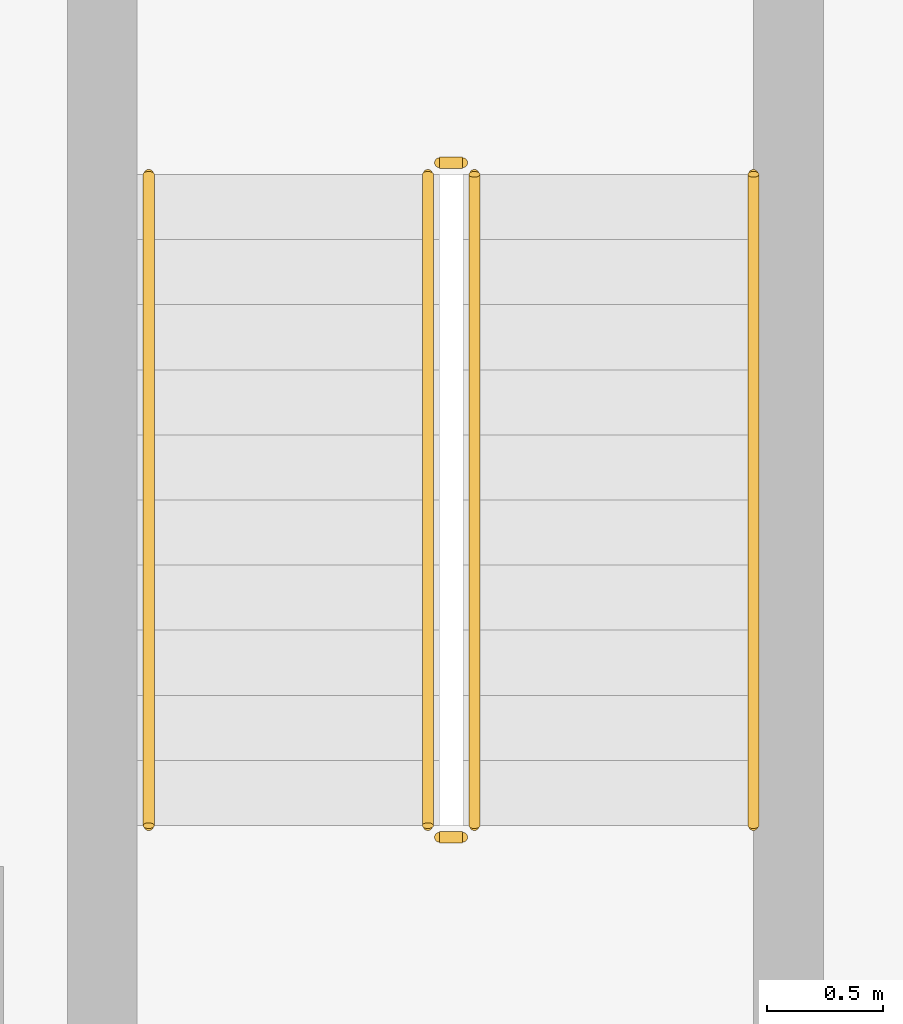
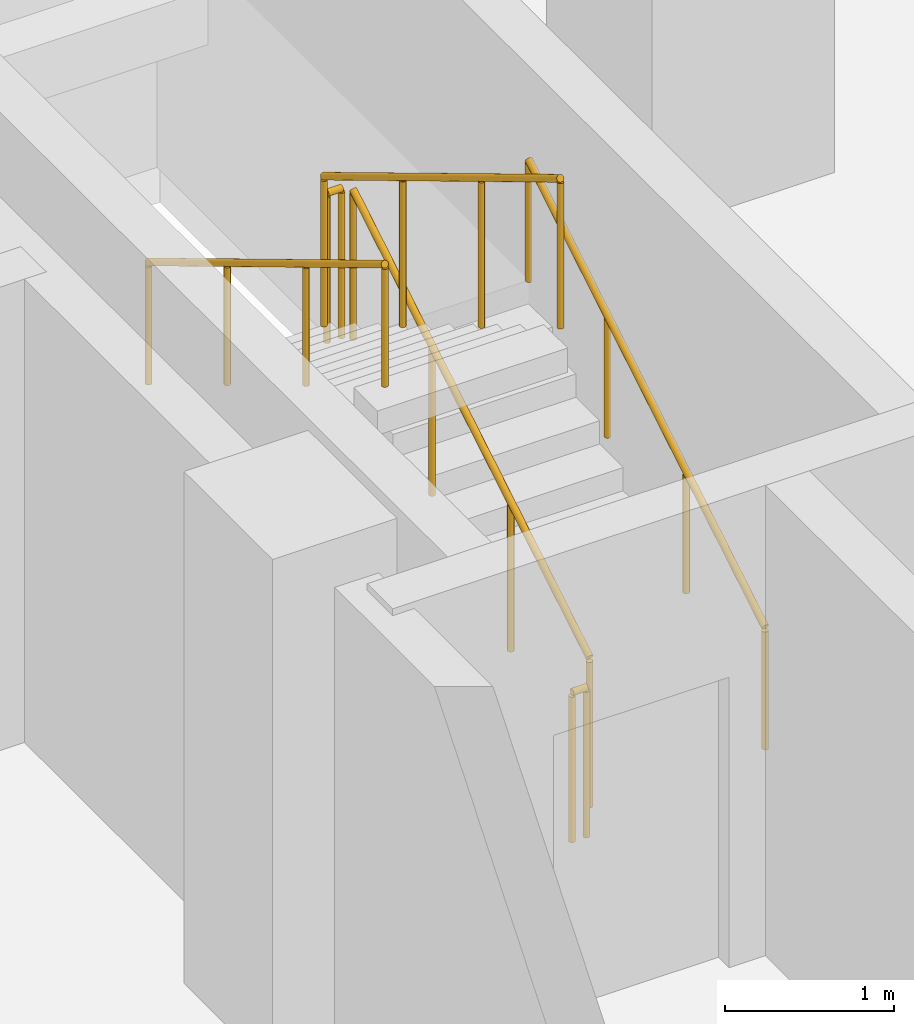
# One storey, part 23 of 23: 6 railings.
"""IFC4 building model written with IfcOpenShell, lengths in metres."""

from ifc_helpers import new_model, si_unit, direction, frame, origin, origin_2d, place, context, subcontext, project, spatial, circle, extrude, material, type_object, element, save


model = new_model("IFC4")

# Units and contexts
model_context = context("Model", 3, precision=1e-05, world=origin(), true_north=direction((0.0, 1.0)))
body_context = subcontext(model_context, "Body", "Model", "MODEL_VIEW")
ifc_project = project(units=[si_unit("LENGTHUNIT", "METRE"), si_unit("AREAUNIT", "SQUARE_METRE"), si_unit("VOLUMEUNIT", "CUBIC_METRE"), si_unit("PLANEANGLEUNIT", "RADIAN"), si_unit("MASSUNIT", "GRAM", prefix="KILO")], contexts=[model_context])

# Site, building, storey
site_placement = place(None, origin())
site = spatial("IfcSite", under=ifc_project, at=site_placement, CompositionType="ELEMENT")
building_placement = place(site_placement, origin())
building = spatial("IfcBuilding", under=site, at=building_placement, Name="Ogive Portal Towers", CompositionType="ELEMENT")
storey_placement = place(building_placement, frame((0.0, 0.0, 120.39990234375)))
storey = spatial("IfcBuildingStorey", under=building, at=storey_placement, Name="L29", CompositionType="ELEMENT", Elevation=120.39990234375)

# Railings
ifc_material_1 = material(Name="Stainless steel balustrade", Category="steel")
railing_type_1 = type_object("IfcRailingType", Name="INT-GUARD", PredefinedType="GUARDRAIL", material=ifc_material_1)
railing_1_placement = place(storey_placement, frame((42.949951171875, 67.199951171875, 0.168212890625)))
element("IfcRailing", 1, at=railing_1_placement, inside=storey, type_object=railing_type_1, Name="L29 ST-A3 stair guard 1", PredefinedType="GUARDRAIL", context=body_context, shape_type="SweptSolid", body=[
    extrude(circle(Radius=0.02392578125, at=origin_2d()), frame((0.0, 0.0, 1.076171875), z_axis=(0.0, 0.857242210791, 0.514913383045), x_axis=(-1.0, 0.0, 0.0)), (0.0, 0.0, 1.0), 3.266357421875),
    extrude(circle(Radius=0.02099609375, at=origin_2d()), origin(), (0.0, 0.0, 1.0), 1.052001953125),
    extrude(circle(Radius=0.02099609375, at=origin_2d()), frame((0.0, 0.933349609375, 0.560546875)), (0.0, 0.0, 1.0), 1.052001953125),
    extrude(circle(Radius=0.02099609375, at=origin_2d()), frame((0.0, 1.86669921875, 1.121337890625)), (0.0, 0.0, 1.0), 1.052001953125),
    extrude(circle(Radius=0.02099609375, at=origin_2d()), frame((0.0, 2.800048828125, 1.681884765625)), (0.0, 0.0, 1.0), 1.052001953125),
])
railing_2_placement = place(storey_placement, frame((42.89990234375, 70.050048828125, 1.85009765625)))
element("IfcRailing", 2, at=railing_2_placement, inside=storey, type_object=railing_type_1, Name="L29 ST-A3 stair guard 2", PredefinedType="GUARDRAIL", context=body_context, shape_type="SweptSolid", body=[
    extrude(circle(Radius=0.02392578125, at=origin_2d()), frame((0.0, 0.0, 1.076171875), z_axis=(-1.0, 0.0, 0.0), x_axis=(0.0, -1.0, 0.0)), (0.0, 0.0, 1.0), 0.099853515625),
    extrude(circle(Radius=0.02099609375, at=origin_2d()), origin(), (0.0, 0.0, 1.0), 1.052001953125),
    extrude(circle(Radius=0.02099609375, at=origin_2d()), frame((-0.099853515625, 0.0, 0.0)), (0.0, 0.0, 1.0), 1.052001953125),
])
railing_3_placement = place(storey_placement, frame((42.75, 70.0, 2.018310546875)))
element("IfcRailing", 3, at=railing_3_placement, inside=storey, type_object=railing_type_1, Name="L29 ST-A3 stair guard 3", PredefinedType="GUARDRAIL", context=body_context, shape_type="SweptSolid", body=[
    extrude(circle(Radius=0.02392578125, at=origin_2d()), frame((0.0, 0.0, 1.076171875), z_axis=(0.0, -0.857242210791, 0.514913383045), x_axis=(1.0, 0.0, 0.0)), (0.0, 0.0, 1.0), 3.266357421875),
    extrude(circle(Radius=0.02099609375, at=origin_2d()), origin(), (0.0, 0.0, 1.0), 1.052001953125),
    extrude(circle(Radius=0.02099609375, at=origin_2d()), frame((0.0, -0.933349609375, 0.560546875)), (0.0, 0.0, 1.0), 1.052001953125),
    extrude(circle(Radius=0.02099609375, at=origin_2d()), frame((0.0, -1.86669921875, 1.121337890625)), (0.0, 0.0, 1.0), 1.052001953125),
    extrude(circle(Radius=0.02099609375, at=origin_2d()), frame((0.0, -2.800048828125, 1.681884765625)), (0.0, 0.0, 1.0), 1.052001953125),
])
railing_4_placement = place(storey_placement, frame((42.89990234375, 67.14990234375, 0.0)))
element("IfcRailing", 4, at=railing_4_placement, inside=storey, type_object=railing_type_1, Name="L29 ST-A3 stair guard 4", PredefinedType="GUARDRAIL", context=body_context, shape_type="SweptSolid", body=[
    extrude(circle(Radius=0.02392578125, at=origin_2d()), frame((0.0, 0.0, 1.076171875), z_axis=(-1.0, 0.0, 0.0), x_axis=(0.0, -1.0, 0.0)), (0.0, 0.0, 1.0), 0.099853515625),
    extrude(circle(Radius=0.02099609375, at=origin_2d()), origin(), (0.0, 0.0, 1.0), 1.052001953125),
    extrude(circle(Radius=0.02099609375, at=origin_2d()), frame((-0.099853515625, 0.0, 0.0)), (0.0, 0.0, 1.0), 1.052001953125),
])
ifc_material_2 = material(Name="Stainless steel handrail", Category="steel")
railing_type_2 = type_object("IfcRailingType", Name="INT-HANDRAIL", PredefinedType="HANDRAIL", material=ifc_material_2)
railing_5_placement = place(storey_placement, frame((44.14990234375, 67.199951171875, 0.168212890625)))
element("IfcRailing", 5, at=railing_5_placement, inside=storey, type_object=railing_type_2, Name="L29 ST-A3 stair handrail 1", PredefinedType="HANDRAIL", context=body_context, shape_type="SweptSolid", body=[
    extrude(circle(Radius=0.02392578125, at=origin_2d()), frame((0.0, 0.0, 0.8759765625), z_axis=(0.0, 0.857242210791, 0.514913383045), x_axis=(-1.0, 0.0, 0.0)), (0.0, 0.0, 1.0), 3.266357421875),
    extrude(circle(Radius=0.02099609375, at=origin_2d()), origin(), (0.0, 0.0, 1.0), 0.851806640625),
    extrude(circle(Radius=0.02099609375, at=origin_2d()), frame((0.0, 0.933349609375, 0.560546875)), (0.0, 0.0, 1.0), 0.851806640625),
    extrude(circle(Radius=0.02099609375, at=origin_2d()), frame((0.0, 1.86669921875, 1.121337890625)), (0.0, 0.0, 1.0), 0.851806640625),
    extrude(circle(Radius=0.02099609375, at=origin_2d()), frame((0.0, 2.800048828125, 1.681884765625)), (0.0, 0.0, 1.0), 0.851806640625),
])
railing_6_placement = place(storey_placement, frame((41.550048828125, 70.0, 2.018310546875)))
element("IfcRailing", 6, at=railing_6_placement, inside=storey, type_object=railing_type_2, Name="L29 ST-A3 stair handrail 2", PredefinedType="HANDRAIL", context=body_context, shape_type="SweptSolid", body=[
    extrude(circle(Radius=0.02392578125, at=origin_2d()), frame((0.0, 0.0, 0.8759765625), z_axis=(0.0, -0.857242210791, 0.514913383045), x_axis=(1.0, 0.0, 0.0)), (0.0, 0.0, 1.0), 3.266357421875),
    extrude(circle(Radius=0.02099609375, at=origin_2d()), origin(), (0.0, 0.0, 1.0), 0.851806640625),
    extrude(circle(Radius=0.02099609375, at=origin_2d()), frame((0.0, -0.933349609375, 0.560546875)), (0.0, 0.0, 1.0), 0.851806640625),
    extrude(circle(Radius=0.02099609375, at=origin_2d()), frame((0.0, -1.86669921875, 1.121337890625)), (0.0, 0.0, 1.0), 0.851806640625),
    extrude(circle(Radius=0.02099609375, at=origin_2d()), frame((0.0, -2.800048828125, 1.681884765625)), (0.0, 0.0, 1.0), 0.851806640625),
])

save(model, "model.ifc")
